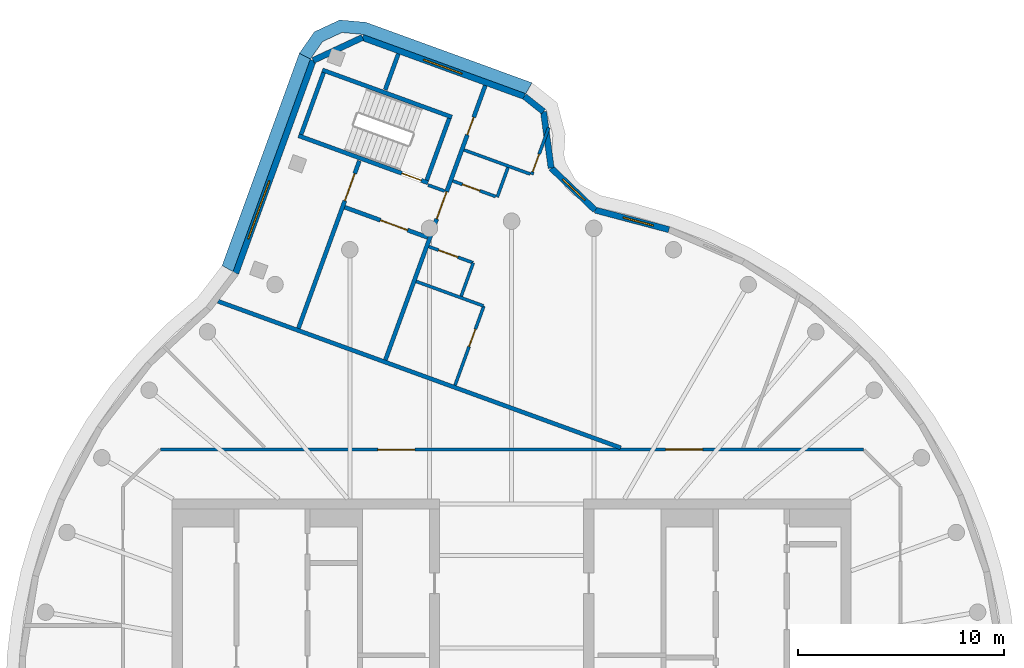
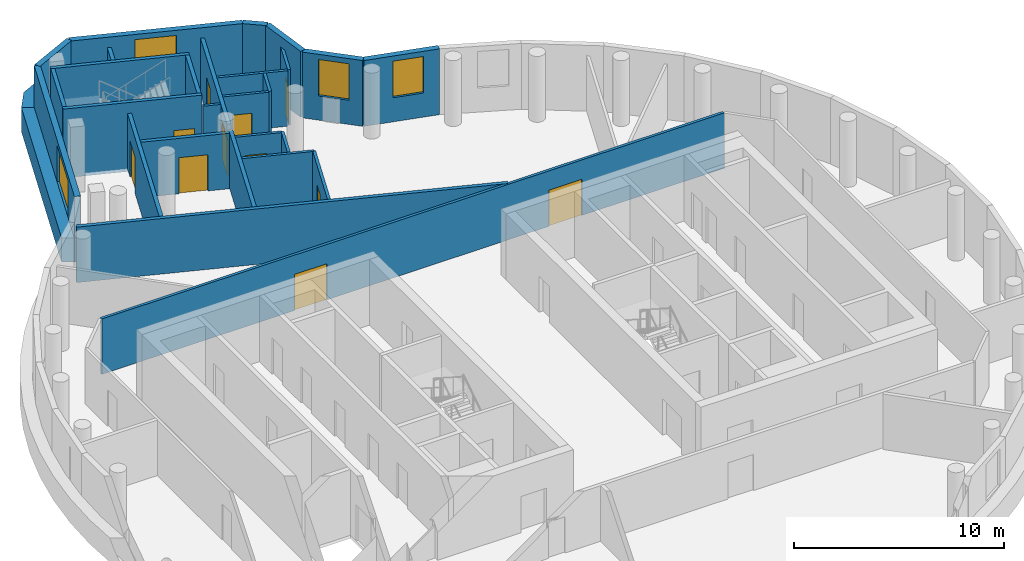
# One storey, part 5 of 7: 27 walls, 11 doors, 4 windows, 2 members, 15 openings.
"""IFC4 building model written with IfcOpenShell, lengths in metres."""

from ifc_helpers import new_model, si_unit, direction, frame, frame_2d, origin, place, context, subcontext, project, spatial, polyline, rectangle, outline, extrude, material, layer, layer_set, type_object, element, fill, aggregate, save


model = new_model("IFC4")

# Units and contexts
model_context = context("Model", 3, precision=1e-05, world=origin(), true_north=direction((0.0, 1.0)))
body_context = subcontext(model_context, "Body", "Model", "MODEL_VIEW")
ifc_project = project(units=[si_unit("LENGTHUNIT", "METRE"), si_unit("AREAUNIT", "SQUARE_METRE"), si_unit("VOLUMEUNIT", "CUBIC_METRE"), si_unit("PLANEANGLEUNIT", "RADIAN"), si_unit("MASSUNIT", "GRAM", prefix="KILO")], contexts=[model_context])

# Member
ifc_material_1 = material(Name="Aluminium and insulated spandrel panel", Category="aluminium")
member_type = type_object("IfcMemberType", Name="Floor-edge blade transom", PredefinedType="USERDEFINED", material=ifc_material_1)
site_placement = place(None, origin())
building_placement = place(site_placement, origin())
storey_placement = place(building_placement, frame((0.0, 0.0, 321.39990234375)))
member_1_placement = place(storey_placement, origin())
member_1 = element("IfcMember", 1, at=member_1_placement, type_object=member_type, Name="CWT-L79-00", ObjectType="TRANSOM", PredefinedType="USERDEFINED", context=body_context, shape_type="SweptSolid", body=[
    extrude(outline(polyline([(0.692626953125, 29.197021484375), (-7.21826171875, 32.076171875), (-8.249755859375, 32.16650390625), (-9.18798828125, 31.728759765625), (-9.78173828125, 30.880859375), (-10.318603515625, 31.16015625), (-9.587158203125, 32.20458984375), (-8.357666015625, 32.778076171875), (-7.08740234375, 32.6669921875), (0.9892578125, 29.7275390625), (0.692626953125, 29.197021484375)])), origin(), (0.0, 0.0, 1.0), 1.400146484375),
])

member_2_placement = place(storey_placement, origin())
member_2 = element("IfcMember", 2, at=member_2_placement, type_object=member_type, Name="CWT-L79-01", ObjectType="TRANSOM", PredefinedType="USERDEFINED", context=body_context, shape_type="SweptSolid", body=[
    extrude(outline(polyline([(-9.78173828125, 30.880859375), (-13.54248046875, 20.54736328125), (-14.07470703125, 20.839599609375), (-10.318603515625, 31.16015625), (-9.78173828125, 30.880859375)])), origin(), (0.0, 0.0, 1.0), 1.400146484375),
])

# Site, building, storey
site = spatial("IfcSite", under=ifc_project, at=site_placement, CompositionType="ELEMENT")
building = spatial("IfcBuilding", under=site, at=building_placement, Name="Tamarind Cross Interchange Tower", CompositionType="ELEMENT")
storey = spatial("IfcBuildingStorey", under=building, at=storey_placement, Name="L79", CompositionType="ELEMENT", Elevation=321.39990234375)

# Wall
ifc_material_2 = material(Name="Gypsum board partition on steel studs", Category="steel")
ifc_layer_1 = layer(ifc_material_2, 0.14990234375)
ifc_layer_set_1 = layer_set([ifc_layer_1], Name="Gypsum board partition on steel studs")
wall_type_1 = type_object("IfcWallType", Name="Partition 150 mm EI 120", PredefinedType="PARTITIONING", material=ifc_layer_set_1)
wall_1_placement = place(storey_placement, frame((-4.639892578125, 20.07080078125, 0.0), z_axis=(0.0, 0.0, 1.0), x_axis=(0.939625353143, -0.342204903138, 0.0)))
element("IfcWall", 3, at=wall_1_placement, inside=storey, type_object=wall_type_1, Name="Partition L79-007", PredefinedType="PARTITIONING", context=body_context, shape_type="SweptSolid", body=[
    extrude(rectangle(XDim=3.480224609375, YDim=0.14990234375, at=frame_2d((1.740234375, 0.0))), origin(), (0.0, 0.0, 1.0), 3.22021484375),
])

# Wall, opening, door
wall_2_placement = place(storey_placement, frame((-4.02392578125, 21.76171875, 0.0), z_axis=(0.0, 0.0, 1.0), x_axis=(0.939640114695, -0.342164368185, 0.0)))
wall_2 = element("IfcWall", 4, at=wall_2_placement, inside=storey, type_object=wall_type_1, Name="Partition L79-008", PredefinedType="PARTITIONING", context=body_context, shape_type="SweptSolid", body=[
    extrude(rectangle(XDim=2.27978515625, YDim=0.14990234375, at=frame_2d((1.139892578125, 0.0))), origin(), (0.0, 0.0, 1.0), 3.22021484375),
])
opening_1_placement = place(wall_2_placement, frame((0.5, 0.0, 0.0)))
opening_1 = element("IfcOpeningElement", 5, at=opening_1_placement, cuts=wall_2, Name="Opening D02", PredefinedType="OPENING", context=body_context, shape_type="SweptSolid", body=[
    extrude(rectangle(XDim=1.0, YDim=2.10009765625, at=frame_2d((0.5, 1.050048828125))), frame((0.0, 0.0849609375, 0.0), z_axis=(0.0, -1.0, 0.0), x_axis=(1.0, 0.0, 0.0)), (0.0, 0.0, 1.0), 0.169921875),
])
ifc_material_3 = material(Name="Fire-resisting door set")
door_type_1 = type_object("IfcDoorType", Name="Interior door 1000 x 2100 FD60S", OperationType="SINGLE_SWING_LEFT", PredefinedType="DOOR", material=ifc_material_3)
door_1_placement = place(opening_1_placement, frame((1.0, 0.0, 0.0), z_axis=(0.0, 0.0, 1.0), x_axis=(-1.0, 0.0, 0.0)))
door_1 = element("IfcDoor", 6, at=door_1_placement, inside=storey, type_object=door_type_1, Name="Door D02", OperationType="SINGLE_SWING_LEFT", OverallHeight=2.10009765625, OverallWidth=1.0, PredefinedType="DOOR", context=body_context, shape_type="SweptSolid", body=[
    extrude(rectangle(XDim=1.0, YDim=2.10009765625, at=frame_2d((0.5, 1.050048828125))), frame((0.0, 0.02490234375, 0.0), z_axis=(0.0, -1.0, 0.0), x_axis=(1.0, 0.0, 0.0)), (0.0, 0.0, 1.0), 0.050048828125),
])
fill(opening_1, door_1)

# Wall
wall_3_placement = place(storey_placement, frame((-4.0634765625, 24.755859375, 0.0), z_axis=(0.0, 0.0, 1.0), x_axis=(0.939710329429, -0.341971485308, 0.0)))
element("IfcWall", 7, at=wall_3_placement, inside=storey, type_object=wall_type_1, Name="Partition L79-009", PredefinedType="PARTITIONING", context=body_context, shape_type="SweptSolid", body=[
    extrude(rectangle(XDim=0.858154296875, YDim=0.14990234375, at=frame_2d((0.42919921875, 0.0))), origin(), (0.0, 0.0, 1.0), 3.22021484375),
])

# Wall, opening, door
wall_4_placement = place(storey_placement, frame((-2.861083984375, 24.956787109375, 0.0), z_axis=(0.0, 0.0, 1.0), x_axis=(0.93968419655, -0.342043287836, 0.0)))
wall_4 = element("IfcWall", 8, at=wall_4_placement, inside=storey, type_object=wall_type_1, Name="Partition L79-010", PredefinedType="PARTITIONING", context=body_context, shape_type="SweptSolid", body=[
    extrude(rectangle(XDim=2.2197265625, YDim=0.14990234375, at=frame_2d((1.10986328125, 0.0))), origin(), (0.0, 0.0, 1.0), 3.22021484375),
])
opening_2_placement = place(wall_4_placement, frame((0.5, 0.0, 0.0)))
opening_2 = element("IfcOpeningElement", 9, at=opening_2_placement, cuts=wall_4, Name="Opening D03", PredefinedType="OPENING", context=body_context, shape_type="SweptSolid", body=[
    extrude(rectangle(XDim=0.89990234375, YDim=2.10009765625, at=frame_2d((0.449951171875, 1.050048828125))), frame((0.0, 0.0849609375, 0.0), z_axis=(0.0, -1.0, 0.0), x_axis=(1.0, 0.0, 0.0)), (0.0, 0.0, 1.0), 0.169921875),
])
door_type_2 = type_object("IfcDoorType", Name="Interior door 900 x 2100 FD60S", OperationType="SINGLE_SWING_LEFT", PredefinedType="DOOR", material=ifc_material_3)
door_2_placement = place(opening_2_placement, origin())
door_2 = element("IfcDoor", 10, at=door_2_placement, inside=storey, type_object=door_type_2, Name="Door D03", OperationType="SINGLE_SWING_RIGHT", OverallHeight=2.10009765625, OverallWidth=0.89990234375, PredefinedType="DOOR", context=body_context, shape_type="SweptSolid", body=[
    extrude(rectangle(XDim=0.89990234375, YDim=2.10009765625, at=frame_2d((0.449951171875, 1.050048828125))), frame((0.0, 0.02490234375, 0.0), z_axis=(0.0, -1.0, 0.0), x_axis=(1.0, 0.0, 0.0)), (0.0, 0.0, 1.0), 0.050048828125),
])
fill(opening_2, door_2)

# Wall
wall_5_placement = place(storey_placement, frame((-2.31396484375, 26.460693359375, 0.0), z_axis=(0.0, 0.0, 1.0), x_axis=(0.939653710072, -0.342127030718, 0.0)))
element("IfcWall", 11, at=wall_5_placement, inside=storey, type_object=wall_type_1, Name="Partition L79-011", PredefinedType="PARTITIONING", context=body_context, shape_type="SweptSolid", body=[
    extrude(rectangle(XDim=3.420166015625, YDim=0.14990234375, at=frame_2d((1.7099609375, 0.0))), origin(), (0.0, 0.0, 1.0), 3.22021484375),
])

# Wall, openings, doors
wall_6_placement = place(storey_placement, frame((-17.06494140625, 11.89990234375, 0.0), z_axis=(0.0, 0.0, 1.0), x_axis=(1.0, 0.0, 0.0)))
wall_6 = element("IfcWall", 12, at=wall_6_placement, inside=storey, type_object=wall_type_1, Name="Partition L79-014", PredefinedType="PARTITIONING", context=body_context, shape_type="SweptSolid", body=[
    extrude(rectangle(XDim=34.1650390625, YDim=0.14990234375, at=frame_2d((17.08251953125, 0.0))), origin(), (0.0, 0.0, 1.0), 3.22021484375),
])
opening_3_placement = place(wall_6_placement, frame((24.5439453125, 0.0, 0.0)))
opening_3 = element("IfcOpeningElement", 13, at=opening_3_placement, cuts=wall_6, Name="Opening D08", PredefinedType="OPENING", context=body_context, shape_type="SweptSolid", body=[
    extrude(rectangle(XDim=1.800048828125, YDim=2.10009765625, at=frame_2d((0.89990234375, 1.050048828125))), frame((0.0, 0.0849609375, 0.0), z_axis=(0.0, -1.0, 0.0), x_axis=(1.0, 0.0, 0.0)), (0.0, 0.0, 1.0), 0.169921875),
])
opening_4_placement = place(wall_6_placement, frame((10.56494140625, 0.0, 0.0)))
opening_4 = element("IfcOpeningElement", 14, at=opening_4_placement, cuts=wall_6, Name="Opening D09", PredefinedType="OPENING", context=body_context, shape_type="SweptSolid", body=[
    extrude(rectangle(XDim=1.800048828125, YDim=2.10009765625, at=frame_2d((0.89990234375, 1.050048828125))), frame((0.0, 0.0849609375, 0.0), z_axis=(0.0, -1.0, 0.0), x_axis=(1.0, 0.0, 0.0)), (0.0, 0.0, 1.0), 0.169921875),
])
door_type_3 = type_object("IfcDoorType", Name="Interior door 1800 x 2100 FD60S", OperationType="DOUBLE_DOOR_SINGLE_SWING", PredefinedType="DOOR", material=ifc_material_3)
door_3_placement = place(opening_3_placement, frame((1.800048828125, 0.0, 0.0), z_axis=(0.0, 0.0, 1.0), x_axis=(-1.0, 0.0, 0.0)))
door_3 = element("IfcDoor", 15, at=door_3_placement, inside=storey, type_object=door_type_3, Name="Door D08", OperationType="DOUBLE_DOOR_SINGLE_SWING", OverallHeight=2.10009765625, OverallWidth=1.800048828125, PredefinedType="DOOR", context=body_context, shape_type="SweptSolid", body=[
    extrude(rectangle(XDim=1.800048828125, YDim=2.10009765625, at=frame_2d((0.89990234375, 1.050048828125))), frame((0.0, 0.02490234375, 0.0), z_axis=(0.0, -1.0, 0.0), x_axis=(1.0, 0.0, 0.0)), (0.0, 0.0, 1.0), 0.050048828125),
])
fill(opening_3, door_3)
door_4_placement = place(opening_4_placement, origin())
door_4 = element("IfcDoor", 16, at=door_4_placement, inside=storey, type_object=door_type_3, Name="Door D09", OperationType="DOUBLE_DOOR_SINGLE_SWING", OverallHeight=2.10009765625, OverallWidth=1.800048828125, PredefinedType="DOOR", context=body_context, shape_type="SweptSolid", body=[
    extrude(rectangle(XDim=1.800048828125, YDim=2.10009765625, at=frame_2d((0.89990234375, 1.050048828125))), frame((0.0, 0.02490234375, 0.0), z_axis=(0.0, -1.0, 0.0), x_axis=(1.0, 0.0, 0.0)), (0.0, 0.0, 1.0), 0.050048828125),
])
fill(opening_4, door_4)

# Wall, opening, door
wall_7_placement = place(storey_placement, frame((-2.752685546875, 15.02099609375, 0.0), z_axis=(0.0, 0.0, 1.0), x_axis=(0.341929559358, 0.939725585709, 0.0)))
wall_7 = element("IfcWall", 17, at=wall_7_placement, inside=storey, type_object=wall_type_1, Name="Partition L79-026", PredefinedType="PARTITIONING", context=body_context, shape_type="SweptSolid", body=[
    extrude(rectangle(XDim=4.09912109375, YDim=0.14990234375, at=frame_2d((2.049560546875, 0.0))), origin(), (0.0, 0.0, 1.0), 3.22021484375),
])
opening_5_placement = place(wall_7_placement, frame((2.0, 0.0, 0.0)))
opening_5 = element("IfcOpeningElement", 18, at=opening_5_placement, cuts=wall_7, Name="Opening D13", PredefinedType="OPENING", context=body_context, shape_type="SweptSolid", body=[
    extrude(rectangle(XDim=0.89990234375, YDim=2.10009765625, at=frame_2d((0.449951171875, 1.050048828125))), frame((0.0, 0.0849609375, 0.0), z_axis=(0.0, -1.0, 0.0), x_axis=(1.0, 0.0, 0.0)), (0.0, 0.0, 1.0), 0.169921875),
])
door_5_placement = place(opening_5_placement, origin())
door_5 = element("IfcDoor", 19, at=door_5_placement, inside=storey, type_object=door_type_2, Name="Door D13", OperationType="SINGLE_SWING_LEFT", OverallHeight=2.10009765625, OverallWidth=0.89990234375, PredefinedType="DOOR", context=body_context, shape_type="SweptSolid", body=[
    extrude(rectangle(XDim=0.89990234375, YDim=2.10009765625, at=frame_2d((0.449951171875, 1.050048828125))), frame((0.0, 0.02490234375, 0.0), z_axis=(0.0, -1.0, 0.0), x_axis=(1.0, 0.0, 0.0)), (0.0, 0.0, 1.0), 0.050048828125),
])
fill(opening_5, door_5)

wall_8_placement = place(storey_placement, frame((0.974609375, 25.26318359375, 0.0), z_axis=(0.0, 0.0, 1.0), x_axis=(0.341863980667, 0.939749444652, 0.0)))
wall_8 = element("IfcWall", 20, at=wall_8_placement, inside=storey, type_object=wall_type_1, Name="Partition L79-027", PredefinedType="PARTITIONING", context=body_context, shape_type="SweptSolid", body=[
    extrude(rectangle(XDim=2.431640625, YDim=0.14990234375, at=frame_2d((1.2158203125, 0.0))), origin(), (0.0, 0.0, 1.0), 3.22021484375),
])
opening_6_placement = place(wall_8_placement, frame((0.14990234375, 0.0, 0.0)))
opening_6 = element("IfcOpeningElement", 21, at=opening_6_placement, cuts=wall_8, Name="Opening D14", PredefinedType="OPENING", context=body_context, shape_type="SweptSolid", body=[
    extrude(rectangle(XDim=0.89990234375, YDim=2.10009765625, at=frame_2d((0.449951171875, 1.050048828125))), frame((0.0, 0.0849609375, 0.0), z_axis=(0.0, -1.0, 0.0), x_axis=(1.0, 0.0, 0.0)), (0.0, 0.0, 1.0), 0.169921875),
])
door_6_placement = place(opening_6_placement, origin())
door_6 = element("IfcDoor", 22, at=door_6_placement, inside=storey, type_object=door_type_2, Name="Door D14", OperationType="SINGLE_SWING_RIGHT", OverallHeight=2.10009765625, OverallWidth=0.89990234375, PredefinedType="DOOR", context=body_context, shape_type="SweptSolid", body=[
    extrude(rectangle(XDim=0.89990234375, YDim=2.10009765625, at=frame_2d((0.449951171875, 1.050048828125))), frame((0.0, 0.02490234375, 0.0), z_axis=(0.0, -1.0, 0.0), x_axis=(1.0, 0.0, 0.0)), (0.0, 0.0, 1.0), 0.050048828125),
])
fill(opening_6, door_6)

# Walls
wall_9_placement = place(storey_placement, frame((-2.452392578125, 19.3544921875, 0.0), z_axis=(0.0, 0.0, 1.0), x_axis=(0.341765797908, 0.939785155969, 0.0)))
element("IfcWall", 23, at=wall_9_placement, inside=storey, type_object=wall_type_1, Name="Partition L79-028", PredefinedType="PARTITIONING", context=body_context, shape_type="SweptSolid", body=[
    extrude(rectangle(XDim=1.724365234375, YDim=0.14990234375, at=frame_2d((0.8623046875, 0.0))), origin(), (0.0, 0.0, 1.0), 3.22021484375),
])
wall_10_placement = place(storey_placement, frame((-0.700927734375, 24.17041015625, 0.0), z_axis=(0.0, 0.0, 1.0), x_axis=(0.341897280994, 0.939737329922, 0.0)))
element("IfcWall", 24, at=wall_10_placement, inside=storey, type_object=wall_type_1, Name="Partition L79-029", PredefinedType="PARTITIONING", context=body_context, shape_type="SweptSolid", body=[
    extrude(rectangle(XDim=1.525146484375, YDim=0.14990234375, at=frame_2d((0.7626953125, 0.0))), origin(), (0.0, 0.0, 1.0), 3.22021484375),
])
ifc_layer_2 = layer(ifc_material_2, 0.199951171875)
ifc_layer_set_2 = layer_set([ifc_layer_2], Name="Gypsum board partition on steel studs")
wall_type_2 = type_object("IfcWallType", Name="Partition 200 mm EI 180", PredefinedType="PARTITIONING", material=ifc_layer_set_2)
wall_11_placement = place(storey_placement, frame((-14.27099609375, 19.105712890625, 0.0), z_axis=(0.0, 0.0, 1.0), x_axis=(0.939707843555, -0.341978316216, 0.0)))
element("IfcWall", 25, at=wall_11_placement, inside=storey, type_object=wall_type_2, Name="Partition L79-005", PredefinedType="PARTITIONING", context=body_context, shape_type="SweptSolid", body=[
    extrude(rectangle(XDim=20.830322265625, YDim=0.199951171875, at=frame_2d((10.4150390625, 0.0))), origin(), (0.0, 0.0, 1.0), 3.22021484375),
])

# Wall, opening, door
wall_12_placement = place(storey_placement, frame((-8.115966796875, 23.6767578125, 0.0), z_axis=(0.0, 0.0, 1.0), x_axis=(0.939720382498, -0.341943859016, 0.0)))
wall_12 = element("IfcWall", 26, at=wall_12_placement, inside=storey, type_object=wall_type_2, Name="Partition L79-006", PredefinedType="PARTITIONING", context=body_context, shape_type="SweptSolid", body=[
    extrude(rectangle(XDim=4.29541015625, YDim=0.199951171875, at=frame_2d((2.147705078125, 0.0))), origin(), (0.0, 0.0, 1.0), 3.22021484375),
])
opening_7_placement = place(wall_12_placement, frame((1.85009765625, 0.0, 0.0)))
opening_7 = element("IfcOpeningElement", 27, at=opening_7_placement, cuts=wall_12, Name="Opening D01", PredefinedType="OPENING", context=body_context, shape_type="SweptSolid", body=[
    extrude(rectangle(XDim=1.39990234375, YDim=2.10009765625, at=frame_2d((0.699951171875, 1.050048828125))), frame((0.0, 0.10986328125, 0.0), z_axis=(0.0, -1.0, 0.0), x_axis=(1.0, 0.0, 0.0)), (0.0, 0.0, 1.0), 0.219970703125),
])
door_type_4 = type_object("IfcDoorType", Name="Interior door 1400 x 2100 FD120S", OperationType="DOUBLE_DOOR_SINGLE_SWING", PredefinedType="DOOR", material=ifc_material_3)
door_7_placement = place(opening_7_placement, frame((1.39990234375, 0.0, 0.0), z_axis=(0.0, 0.0, 1.0), x_axis=(-1.0, 0.0, 0.0)))
door_7 = element("IfcDoor", 28, at=door_7_placement, inside=storey, type_object=door_type_4, Name="Door D01", OperationType="DOUBLE_DOOR_SINGLE_SWING", OverallHeight=2.10009765625, OverallWidth=1.39990234375, PredefinedType="DOOR", context=body_context, shape_type="SweptSolid", body=[
    extrude(rectangle(XDim=1.39990234375, YDim=2.10009765625, at=frame_2d((0.699951171875, 1.050048828125))), frame((0.0, 0.02490234375, 0.0), z_axis=(0.0, -1.0, 0.0), x_axis=(1.0, 0.0, 0.0)), (0.0, 0.0, 1.0), 0.050048828125),
])
fill(opening_7, door_7)

wall_13_placement = place(storey_placement, frame((-10.36474609375, 17.791015625, 0.0), z_axis=(0.0, 0.0, 1.0), x_axis=(0.342032792834, 0.939688016645, 0.0)))
wall_13 = element("IfcWall", 29, at=wall_13_placement, inside=storey, type_object=wall_type_2, Name="Partition L79-022", PredefinedType="PARTITIONING", context=body_context, shape_type="SweptSolid", body=[
    extrude(rectangle(XDim=8.65966796875, YDim=0.199951171875, at=frame_2d((4.329833984375, 0.0))), origin(), (0.0, 0.0, 1.0), 3.22021484375),
])
opening_8_placement = place(wall_13_placement, frame((6.60009765625, 0.0, 0.0)))
opening_8 = element("IfcOpeningElement", 30, at=opening_8_placement, cuts=wall_13, Name="Opening D10", PredefinedType="OPENING", context=body_context, shape_type="SweptSolid", body=[
    extrude(rectangle(XDim=1.39990234375, YDim=2.10009765625, at=frame_2d((0.699951171875, 1.050048828125))), frame((0.0, 0.10986328125, 0.0), z_axis=(0.0, -1.0, 0.0), x_axis=(1.0, 0.0, 0.0)), (0.0, 0.0, 1.0), 0.219970703125),
])
door_8_placement = place(opening_8_placement, origin())
door_8 = element("IfcDoor", 31, at=door_8_placement, inside=storey, type_object=door_type_4, Name="Door D10", OperationType="DOUBLE_DOOR_SINGLE_SWING", OverallHeight=2.10009765625, OverallWidth=1.39990234375, PredefinedType="DOOR", context=body_context, shape_type="SweptSolid", body=[
    extrude(rectangle(XDim=1.39990234375, YDim=2.10009765625, at=frame_2d((0.699951171875, 1.050048828125))), frame((0.0, 0.02490234375, 0.0), z_axis=(0.0, -1.0, 0.0), x_axis=(1.0, 0.0, 0.0)), (0.0, 0.0, 1.0), 0.050048828125),
])
fill(opening_8, door_8)

# Walls
wall_14_placement = place(storey_placement, frame((-6.14404296875, 29.38720703125, 0.0), z_axis=(0.0, 0.0, 1.0), x_axis=(0.342080568825, 0.939670625502, 0.0)))
element("IfcWall", 32, at=wall_14_placement, inside=storey, type_object=wall_type_2, Name="Partition L79-023", PredefinedType="PARTITIONING", context=body_context, shape_type="SweptSolid", body=[
    extrude(rectangle(XDim=1.8583984375, YDim=0.199951171875, at=frame_2d((0.92919921875, 0.0))), origin(), (0.0, 0.0, 1.0), 3.22021484375),
])
wall_15_placement = place(storey_placement, frame((-6.1357421875, 16.251953125, 0.0), z_axis=(0.0, 0.0, 1.0), x_axis=(0.341890434998, 0.939739820619, 0.0)))
element("IfcWall", 33, at=wall_15_placement, inside=storey, type_object=wall_type_2, Name="Partition L79-024", PredefinedType="PARTITIONING", context=body_context, shape_type="SweptSolid", body=[
    extrude(rectangle(XDim=6.517578125, YDim=0.199951171875, at=frame_2d((3.2587890625, 0.0))), origin(), (0.0, 0.0, 1.0), 3.22021484375),
])

# Wall, openings, doors
wall_16_placement = place(storey_placement, frame((-3.753662109375, 22.799560546875, 0.0), z_axis=(0.0, 0.0, 1.0), x_axis=(0.341897570455, 0.93973722461, 0.0)))
wall_16 = element("IfcWall", 34, at=wall_16_placement, inside=storey, type_object=wall_type_2, Name="Partition L79-025", PredefinedType="PARTITIONING", context=body_context, shape_type="SweptSolid", body=[
    extrude(rectangle(XDim=7.2314453125, YDim=0.199951171875, at=frame_2d((3.61572265625, 0.0))), origin(), (0.0, 0.0, 1.0), 3.22021484375),
])
opening_9_placement = place(wall_16_placement, frame((0.332275390625, 0.0, 0.0)))
opening_9 = element("IfcOpeningElement", 35, at=opening_9_placement, cuts=wall_16, Name="Opening D11", PredefinedType="OPENING", context=body_context, shape_type="SweptSolid", body=[
    extrude(rectangle(XDim=1.39990234375, YDim=2.10009765625, at=frame_2d((0.699951171875, 1.050048828125))), frame((0.0, 0.10986328125, 0.0), z_axis=(0.0, -1.0, 0.0), x_axis=(1.0, 0.0, 0.0)), (0.0, 0.0, 1.0), 0.219970703125),
])
opening_10_placement = place(wall_16_placement, frame((4.6826171875, 0.0, 0.0)))
opening_10 = element("IfcOpeningElement", 36, at=opening_10_placement, cuts=wall_16, Name="Opening D12", PredefinedType="OPENING", context=body_context, shape_type="SweptSolid", body=[
    extrude(rectangle(XDim=0.89990234375, YDim=2.10009765625, at=frame_2d((0.449951171875, 1.050048828125))), frame((0.0, 0.10986328125, 0.0), z_axis=(0.0, -1.0, 0.0), x_axis=(1.0, 0.0, 0.0)), (0.0, 0.0, 1.0), 0.219970703125),
])
door_9_placement = place(opening_9_placement, frame((1.39990234375, 0.0, 0.0), z_axis=(0.0, 0.0, 1.0), x_axis=(-1.0, 0.0, 0.0)))
door_9 = element("IfcDoor", 37, at=door_9_placement, inside=storey, type_object=door_type_4, Name="Door D11", OperationType="DOUBLE_DOOR_SINGLE_SWING", OverallHeight=2.10009765625, OverallWidth=1.39990234375, PredefinedType="DOOR", context=body_context, shape_type="SweptSolid", body=[
    extrude(rectangle(XDim=1.39990234375, YDim=2.10009765625, at=frame_2d((0.699951171875, 1.050048828125))), frame((0.0, 0.02490234375, 0.0), z_axis=(0.0, -1.0, 0.0), x_axis=(1.0, 0.0, 0.0)), (0.0, 0.0, 1.0), 0.050048828125),
])
fill(opening_9, door_9)
door_type_5 = type_object("IfcDoorType", Name="Interior door 900 x 2100 FD120S", OperationType="SINGLE_SWING_LEFT", PredefinedType="DOOR", material=ifc_material_3)
door_10_placement = place(opening_10_placement, origin())
door_10 = element("IfcDoor", 38, at=door_10_placement, inside=storey, type_object=door_type_5, Name="Door D12", OperationType="SINGLE_SWING_LEFT", OverallHeight=2.10009765625, OverallWidth=0.89990234375, PredefinedType="DOOR", context=body_context, shape_type="SweptSolid", body=[
    extrude(rectangle(XDim=0.89990234375, YDim=2.10009765625, at=frame_2d((0.449951171875, 1.050048828125))), frame((0.0, 0.02490234375, 0.0), z_axis=(0.0, -1.0, 0.0), x_axis=(1.0, 0.0, 0.0)), (0.0, 0.0, 1.0), 0.050048828125),
])
fill(opening_10, door_10)

# Wall, opening, window
ifc_material_4 = material(Name="Precast concrete C40", Category="concrete")
ifc_layer_3 = layer(ifc_material_4, 0.300048828125)
ifc_layer_set_3 = layer_set([ifc_layer_3], Name="Precast concrete C40")
wall_type_3 = type_object("IfcWallType", Name="Plant louvre wall", PredefinedType="SOLIDWALL", material=ifc_layer_set_3)
wall_17_placement = place(storey_placement, frame((0.61865234375, 29.064453125, 0.0), z_axis=(0.0, 0.0, 1.0), x_axis=(-0.93970742794, 0.341979458265, 0.0)))
wall_17 = element("IfcWall", 39, at=wall_17_placement, inside=storey, type_object=wall_type_3, Name="EXW-L79-00-00", PredefinedType="SOLIDWALL", context=body_context, shape_type="SweptSolid", body=[
    extrude(rectangle(XDim=8.374755859375, YDim=0.300048828125, at=frame_2d((4.1875, 0.0))), origin(), (0.0, 0.0, 1.0), 3.820068359375),
])
opening_11_placement = place(wall_17_placement, frame((3.216796875, 0.0, 1.39990234375)))
opening_11 = element("IfcOpeningElement", 40, at=opening_11_placement, cuts=wall_17, Name="Opening W2", PredefinedType="OPENING", context=body_context, shape_type="SweptSolid", body=[
    extrude(rectangle(XDim=1.998291015625, YDim=2.1201171875, at=frame_2d((0.9990234375, 1.06005859375))), frame((0.0, 0.159912109375, 0.0), z_axis=(0.0, -1.0, 0.0), x_axis=(1.0, 0.0, 0.0)), (0.0, 0.0, 1.0), 0.320068359375),
])
ifc_material_5 = material(Name="Aluminium louvre", Category="aluminium")
window_type = type_object("IfcWindowType", Name="Plant louvre bank", PartitioningType="SINGLE_PANEL", PredefinedType="WINDOW", material=ifc_material_5)
window_1_placement = place(opening_11_placement, origin())
window_1 = element("IfcWindow", 41, at=window_1_placement, inside=storey, type_object=window_type, Name="WIN-L79-00-00", OverallHeight=2.1201171875, OverallWidth=1.998291015625, PartitioningType="SINGLE_PANEL", PredefinedType="WINDOW", context=body_context, shape_type="SweptSolid", body=[
    extrude(rectangle(XDim=1.998291015625, YDim=2.1201171875, at=frame_2d((0.9990234375, 1.06005859375))), frame((0.0, 0.030029296875, 0.0), z_axis=(0.0, -1.0, 0.0), x_axis=(1.0, 0.0, 0.0)), (0.0, 0.0, 1.0), 0.06005859375),
])
fill(opening_11, window_1)

aggregate(wall_17, [member_1])

# Wall
wall_18_placement = place(storey_placement, frame((-7.251220703125, 31.928466796875, 0.0), z_axis=(0.0, 0.0, 1.0), x_axis=(-0.906301055213, -0.422632697882, 0.0)))
element("IfcWall", 42, at=wall_18_placement, inside=storey, type_object=wall_type_3, Name="EXW-L79-00-01", PredefinedType="SOLIDWALL", context=body_context, shape_type="SweptSolid", body=[
    extrude(rectangle(XDim=2.64404296875, YDim=0.300048828125, at=frame_2d((1.322021484375, 0.0))), origin(), (0.0, 0.0, 1.0), 3.820068359375),
])

# Wall, opening, window
wall_19_placement = place(storey_placement, frame((-9.6474609375, 30.81103515625, 0.0), z_axis=(0.0, 0.0, 1.0), x_axis=(-0.341997884375, -0.939700722083, 0.0)))
wall_19 = element("IfcWall", 43, at=wall_19_placement, inside=storey, type_object=wall_type_3, Name="EXW-L79-01-00", PredefinedType="SOLIDWALL", context=body_context, shape_type="SweptSolid", body=[
    extrude(rectangle(XDim=11.0, YDim=0.300048828125, at=frame_2d((5.5, 0.0))), origin(), (0.0, 0.0, 1.0), 3.820068359375),
])
opening_12_placement = place(wall_19_placement, frame((6.230224609375, 0.0, 1.39990234375)))
opening_12 = element("IfcOpeningElement", 44, at=opening_12_placement, cuts=wall_19, Name="Opening W2", PredefinedType="OPENING", context=body_context, shape_type="SweptSolid", body=[
    extrude(rectangle(XDim=3.0, YDim=2.1201171875, at=frame_2d((1.5, 1.06005859375))), frame((0.0, 0.159912109375, 0.0), z_axis=(0.0, -1.0, 0.0), x_axis=(1.0, 0.0, 0.0)), (0.0, 0.0, 1.0), 0.320068359375),
])
window_2_placement = place(opening_12_placement, origin())
window_2 = element("IfcWindow", 45, at=window_2_placement, inside=storey, type_object=window_type, Name="WIN-L79-01-00", OverallHeight=2.1201171875, OverallWidth=3.0, PartitioningType="SINGLE_PANEL", PredefinedType="WINDOW", context=body_context, shape_type="SweptSolid", body=[
    extrude(rectangle(XDim=3.0, YDim=2.1201171875, at=frame_2d((1.5, 1.06005859375))), frame((0.0, 0.030029296875, 0.0), z_axis=(0.0, -1.0, 0.0), x_axis=(1.0, 0.0, 0.0)), (0.0, 0.0, 1.0), 0.06005859375),
])
fill(opening_12, window_2)

aggregate(wall_19, [member_2])

wall_20_placement = place(storey_placement, frame((7.6455078125, 22.5869140625, 0.0), z_axis=(0.0, 0.0, 1.0), x_axis=(-0.96658946477, 0.256329488347, 0.0)))
wall_20 = element("IfcWall", 46, at=wall_20_placement, inside=storey, type_object=wall_type_3, Name="EXW-L79-02-33", PredefinedType="SOLIDWALL", context=body_context, shape_type="SweptSolid", body=[
    extrude(rectangle(XDim=3.716552734375, YDim=0.300048828125, at=frame_2d((1.8583984375, 0.0))), origin(), (0.0, 0.0, 1.0), 3.820068359375),
])
opening_13_placement = place(wall_20_placement, frame((0.786865234375, 0.0, 1.39990234375)))
opening_13 = element("IfcOpeningElement", 47, at=opening_13_placement, cuts=wall_20, Name="Opening W2", PredefinedType="OPENING", context=body_context, shape_type="SweptSolid", body=[
    extrude(rectangle(XDim=1.509033203125, YDim=2.1201171875, at=frame_2d((0.75439453125, 1.06005859375))), frame((0.0, 0.159912109375, 0.0), z_axis=(0.0, -1.0, 0.0), x_axis=(1.0, 0.0, 0.0)), (0.0, 0.0, 1.0), 0.320068359375),
])
window_3_placement = place(opening_13_placement, origin())
window_3 = element("IfcWindow", 48, at=window_3_placement, inside=storey, type_object=window_type, Name="WIN-L79-02-33", OverallHeight=2.1201171875, OverallWidth=1.509033203125, PartitioningType="SINGLE_PANEL", PredefinedType="WINDOW", context=body_context, shape_type="SweptSolid", body=[
    extrude(rectangle(XDim=1.509033203125, YDim=2.1201171875, at=frame_2d((0.75439453125, 1.06005859375))), frame((0.0, 0.030029296875, 0.0), z_axis=(0.0, -1.0, 0.0), x_axis=(1.0, 0.0, 0.0)), (0.0, 0.0, 1.0), 0.06005859375),
])
fill(opening_13, window_3)

wall_21_placement = place(storey_placement, frame((4.05322265625, 23.53955078125, 0.0), z_axis=(0.0, 0.0, 1.0), x_axis=(-0.721986485098, 0.691907158032, 0.0)))
wall_21 = element("IfcWall", 49, at=wall_21_placement, inside=storey, type_object=wall_type_3, Name="EXW-L79-02-34", PredefinedType="SOLIDWALL", context=body_context, shape_type="SweptSolid", body=[
    extrude(rectangle(XDim=2.954345703125, YDim=0.300048828125, at=frame_2d((1.47705078125, 0.0))), origin(), (0.0, 0.0, 1.0), 3.820068359375),
])
opening_14_placement = place(wall_21_placement, frame((0.677734375, 0.0, 1.39990234375)))
opening_14 = element("IfcOpeningElement", 50, at=opening_14_placement, cuts=wall_21, Name="Opening W2", PredefinedType="OPENING", context=body_context, shape_type="SweptSolid", body=[
    extrude(rectangle(XDim=1.487548828125, YDim=2.1201171875, at=frame_2d((0.74365234375, 1.06005859375))), frame((0.0, 0.159912109375, 0.0), z_axis=(0.0, -1.0, 0.0), x_axis=(1.0, 0.0, 0.0)), (0.0, 0.0, 1.0), 0.320068359375),
])
window_4_placement = place(opening_14_placement, origin())
window_4 = element("IfcWindow", 51, at=window_4_placement, inside=storey, type_object=window_type, Name="WIN-L79-02-34", OverallHeight=2.1201171875, OverallWidth=1.487548828125, PartitioningType="SINGLE_PANEL", PredefinedType="WINDOW", context=body_context, shape_type="SweptSolid", body=[
    extrude(rectangle(XDim=1.487548828125, YDim=2.1201171875, at=frame_2d((0.74365234375, 1.06005859375))), frame((0.0, 0.030029296875, 0.0), z_axis=(0.0, -1.0, 0.0), x_axis=(1.0, 0.0, 0.0)), (0.0, 0.0, 1.0), 0.06005859375),
])
fill(opening_14, window_4)

# Walls
wall_22_placement = place(storey_placement, frame((1.920166015625, 25.583740234375, 0.0), z_axis=(0.0, 0.0, 1.0), x_axis=(-0.133683682647, 0.991024052682, 0.0)))
element("IfcWall", 52, at=wall_22_placement, inside=storey, type_object=wall_type_3, Name="EXW-L79-02-35", PredefinedType="SOLIDWALL", context=body_context, shape_type="SweptSolid", body=[
    extrude(rectangle(XDim=2.766845703125, YDim=0.300048828125, at=frame_2d((1.38330078125, 0.0))), origin(), (0.0, 0.0, 1.0), 3.820068359375),
])
wall_23_placement = place(storey_placement, frame((1.55029296875, 28.32568359375, 0.0), z_axis=(0.0, 0.0, 1.0), x_axis=(-0.78354593718, 0.621333858991, 0.0)))
element("IfcWall", 53, at=wall_23_placement, inside=storey, type_object=wall_type_3, Name="EXW-L79-02-36", PredefinedType="SOLIDWALL", context=body_context, shape_type="SweptSolid", body=[
    extrude(rectangle(XDim=1.18896484375, YDim=0.300048828125, at=frame_2d((0.594482421875, 0.0))), origin(), (0.0, 0.0, 1.0), 3.820068359375),
])

# Wall, opening, door
ifc_material_6 = material(Name="Concrete C40", Category="concrete")
ifc_layer_4 = layer(ifc_material_6, 0.199951171875)
ifc_layer_set_4 = layer_set([ifc_layer_4], Name="Concrete C40")
wall_type_4 = type_object("IfcWallType", Name="Stair shaft wall 200 mm Concrete C40", PredefinedType="SHEAR", material=ifc_layer_set_4)
wall_24_placement = place(storey_placement, frame((-4.06591796875, 24.86328125, -0.179931640625), z_axis=(0.0, 0.0, 1.0), x_axis=(-0.939709347419, 0.341974183781, 0.0)))
wall_24 = element("IfcWall", 54, at=wall_24_placement, inside=storey, type_object=wall_type_4, Name="Core wall CWL-L79-ST4-H", PredefinedType="SHEAR", context=body_context, shape_type="SweptSolid", body=[
    extrude(rectangle(XDim=6.7001953125, YDim=0.199951171875, at=frame_2d((3.35009765625, 0.0))), origin(), (0.0, 0.0, 1.0), 4.0),
])
opening_15_placement = place(wall_24_placement, frame((0.35009765625, 0.0, 0.0)))
opening_15 = element("IfcOpeningElement", 55, at=opening_15_placement, cuts=wall_24, Name="Opening ST4L79", PredefinedType="OPENING", context=body_context, shape_type="SweptSolid", body=[
    extrude(rectangle(XDim=1.0, YDim=2.10009765625, at=frame_2d((0.5, 1.050048828125))), frame((0.0, 0.10986328125, 0.0), z_axis=(0.0, -1.0, 0.0), x_axis=(1.0, 0.0, 0.0)), (0.0, 0.0, 1.0), 0.219970703125),
])
ifc_material_7 = material(Name="Steel, fire-resisting", Category="steel")
door_type_6 = type_object("IfcDoorType", Name="Core fire door 1000 x 2100 FD90", OperationType="SINGLE_SWING_LEFT", PredefinedType="DOOR", material=ifc_material_7)
door_11_placement = place(opening_15_placement, origin())
door_11 = element("IfcDoor", 56, at=door_11_placement, inside=storey, type_object=door_type_6, Name="L79 stair door ST4", OperationType="SINGLE_SWING_LEFT", OverallHeight=2.10009765625, OverallWidth=1.0, PredefinedType="DOOR", context=body_context, shape_type="SweptSolid", body=[
    extrude(rectangle(XDim=1.0, YDim=2.10009765625, at=frame_2d((0.5, 1.050048828125))), frame((0.0, 0.02490234375, 0.0), z_axis=(0.0, -1.0, 0.0), x_axis=(1.0, 0.0, 0.0)), (0.0, 0.0, 1.0), 0.050048828125),
])
fill(opening_15, door_11)

# Walls
wall_25_placement = place(storey_placement, frame((-2.9033203125, 28.05810546875, -0.179931640625), z_axis=(0.0, 0.0, 1.0), x_axis=(-0.939693375008, 0.342018071111, 0.0)))
element("IfcWall", 57, at=wall_25_placement, inside=storey, type_object=wall_type_4, Name="Core wall CWL-L79-ST4-C", PredefinedType="SHEAR", context=body_context, shape_type="SweptSolid", body=[
    extrude(rectangle(XDim=6.699951171875, YDim=0.199951171875, at=frame_2d((3.35009765625, 0.0))), origin(), (0.0, 0.0, 1.0), 4.0),
])
wall_26_placement = place(storey_placement, frame((-3.031494140625, 27.998291015625, -0.179931640625), z_axis=(0.0, 0.0, 1.0), x_axis=(-0.341975850632, -0.939708740826, 0.0)))
element("IfcWall", 58, at=wall_26_placement, inside=storey, type_object=wall_type_4, Name="Core wall CWL-L79-ST4-CE", PredefinedType="SHEAR", context=body_context, shape_type="SweptSolid", body=[
    extrude(rectangle(XDim=3.19970703125, YDim=0.199951171875, at=frame_2d((1.599853515625, 0.0))), origin(), (0.0, 0.0, 1.0), 4.0),
])
wall_27_placement = place(storey_placement, frame((0.0, 0.0, -0.179931640625)))
element("IfcWall", 59, at=wall_27_placement, inside=storey, type_object=wall_type_4, Name="Core wall CWL-L79-ST4-CF", PredefinedType="SHEAR", context=body_context, shape_type="SweptSolid", body=[
    extrude(outline(polyline([(-9.04541015625, 30.187255859375), (-9.2333984375, 30.255615234375), (-10.327880859375, 27.24853515625), (-10.139892578125, 27.18017578125), (-9.04541015625, 30.187255859375)])), origin(), (0.0, 0.0, 1.0), 4.0),
])

save(model, "model.ifc")
